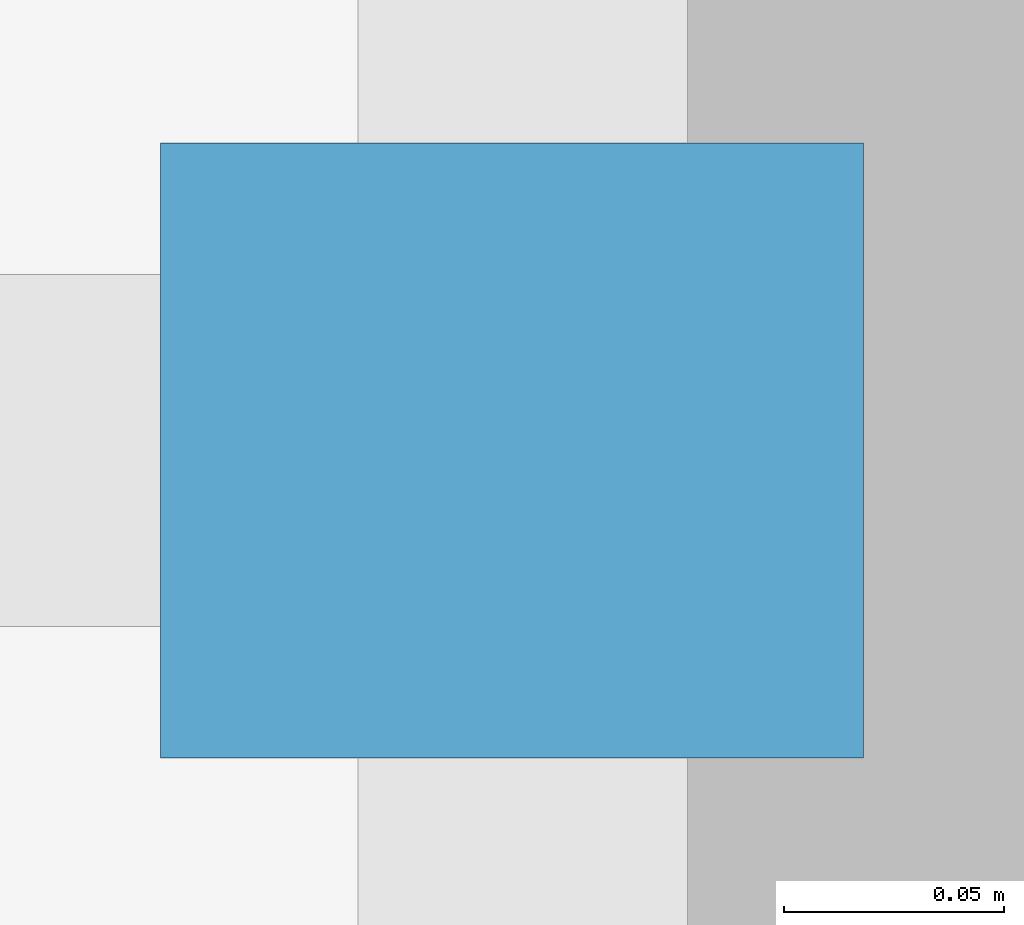
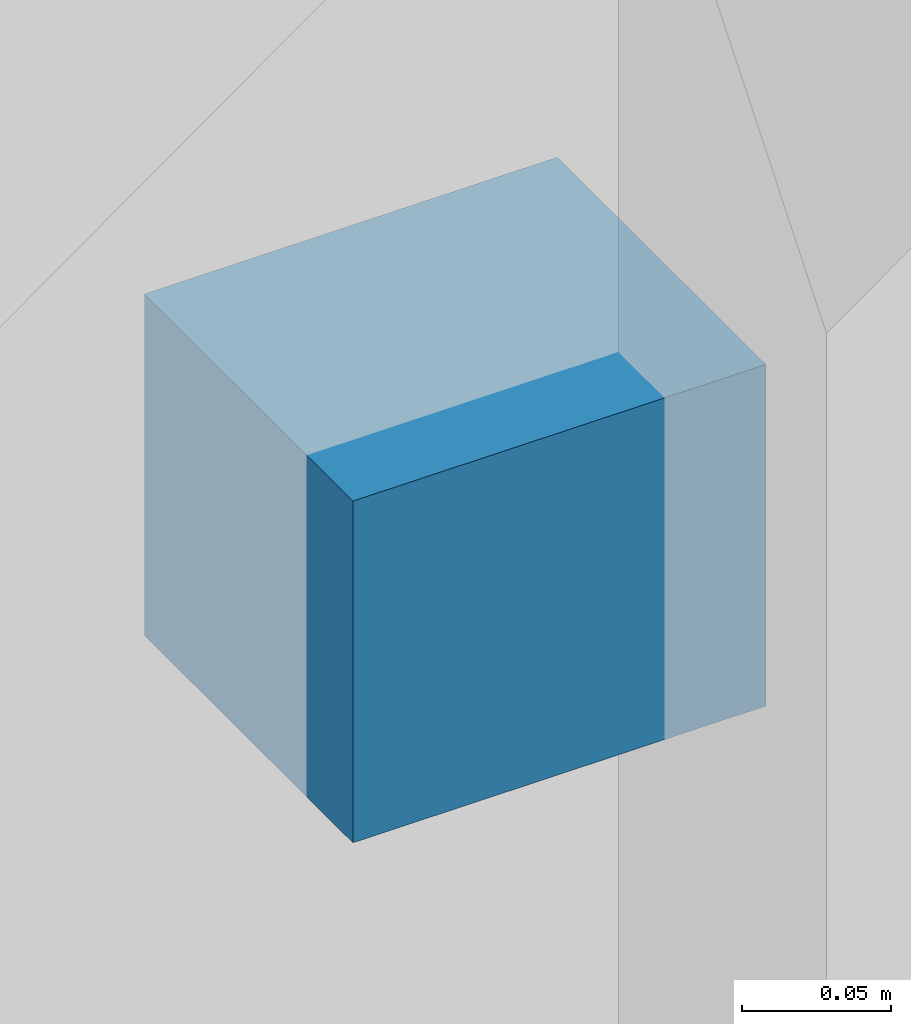
# One storey, part 107 of 126: 1 discrete accessory.
"""IFC4 building model written with IfcOpenShell, lengths in metres."""

from ifc_helpers import new_model, si_unit, direction, frame, origin, origin_2d, place, context, subcontext, project, spatial, rectangle, extrude, material, type_object, element, save


model = new_model("IFC4")

# Units and contexts
model_context = context("Model", 3, precision=1e-05, world=origin(), true_north=direction((0.0, 1.0)))
body_context = subcontext(model_context, "Body", "Model", "MODEL_VIEW")
ifc_project = project(units=[si_unit("LENGTHUNIT", "METRE"), si_unit("AREAUNIT", "SQUARE_METRE"), si_unit("VOLUMEUNIT", "CUBIC_METRE"), si_unit("PLANEANGLEUNIT", "RADIAN"), si_unit("MASSUNIT", "GRAM", prefix="KILO")], contexts=[model_context])

# Site, building, storey
site_placement = place(None, origin())
site = spatial("IfcSite", under=ifc_project, at=site_placement, CompositionType="ELEMENT")
building_placement = place(site_placement, origin())
building = spatial("IfcBuilding", under=site, at=building_placement, Name="Khelvaren Railside Concert Hall", CompositionType="ELEMENT")
storey_placement = place(building_placement, origin())
storey = spatial("IfcBuildingStorey", under=building, at=storey_placement, Name="L00", CompositionType="ELEMENT", Elevation=0.0)

# Discrete accessory
ifc_material = material(Name="Architectural stainless steel Grade 316", Category="steel")
discrete_accessory_type = type_object("IfcDiscreteAccessoryType", Name="BRK87", PredefinedType="BRACKET", material=ifc_material)
discrete_accessory_placement = place(storey_placement, frame((127.81005859375, 103.04248046875, 1.85498046875), z_axis=(0.0, 0.0, 1.0), x_axis=(0.0, 1.0, 0.0)))
element("IfcDiscreteAccessory", 1, at=discrete_accessory_placement, inside=storey, type_object=discrete_accessory_type, Name="Solar Fin Bracket EW-V5-L00-W-99", PredefinedType="BRACKET", context=body_context, shape_type="SweptSolid", body=[
    extrude(rectangle(XDim=0.139892578125, YDim=0.159912109375, at=origin_2d()), origin(), (0.0, 0.0, 1.0), 0.139892578125),
])

save(model, "model.ifc")
